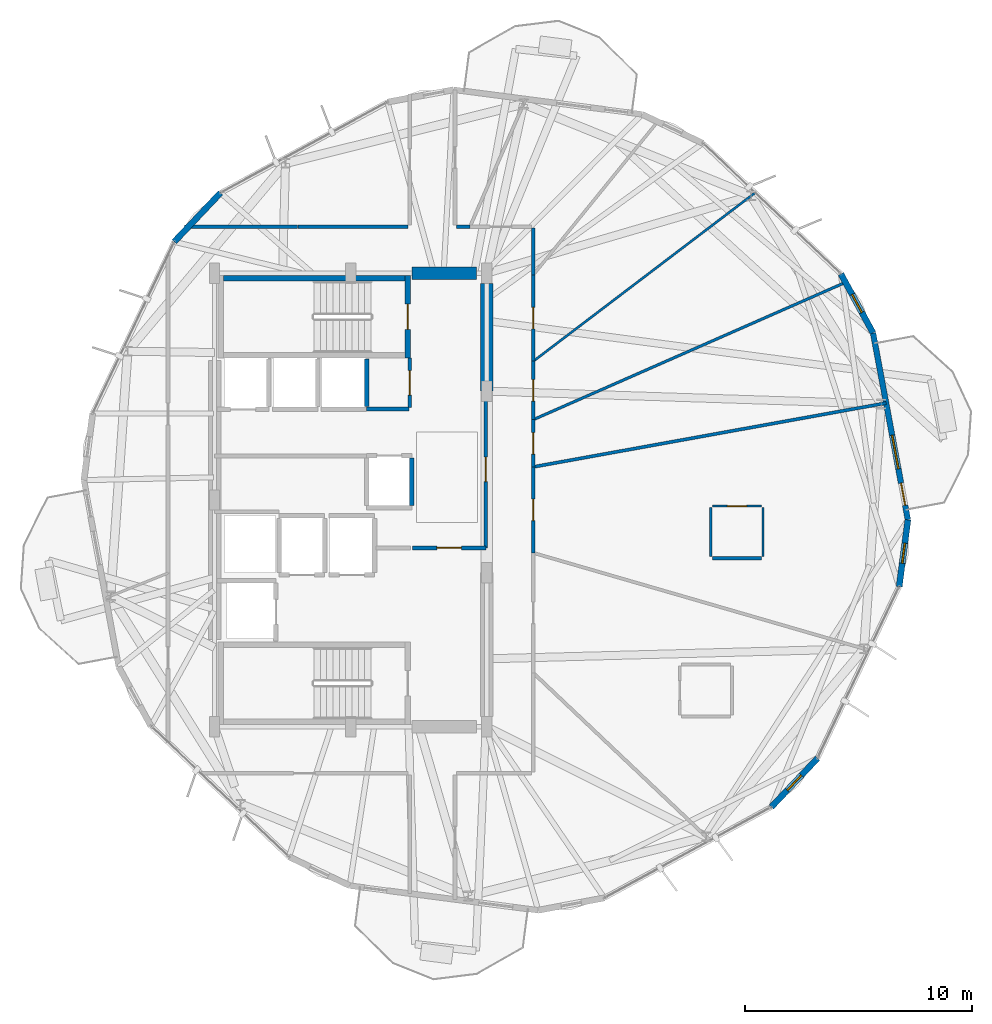
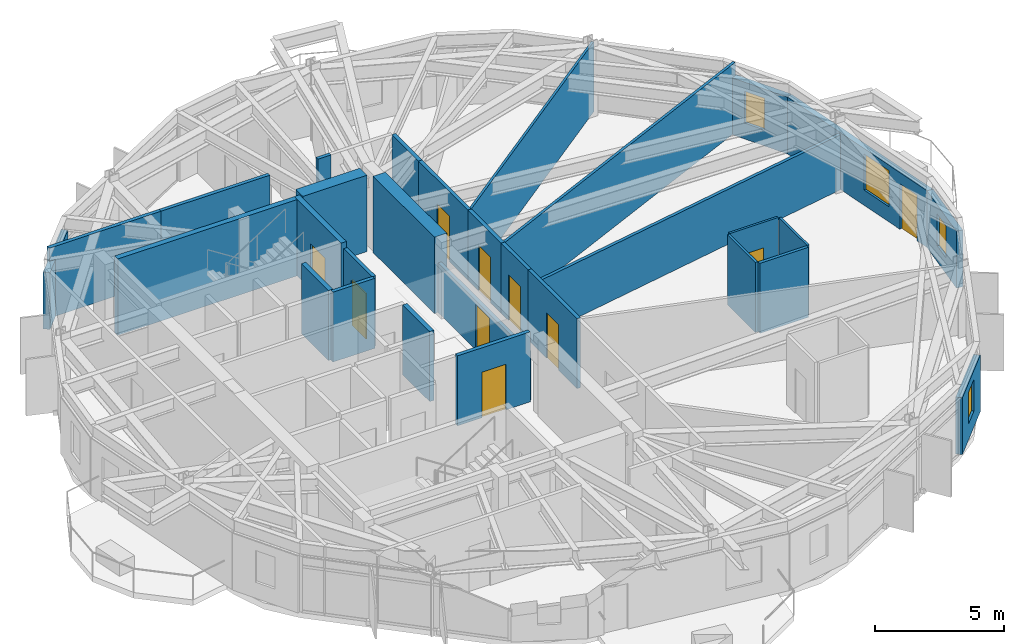
# One storey, part 19 of 23: 30 walls, 10 doors, 4 windows, 14 openings.
"""IFC4 building model written with IfcOpenShell, lengths in metres."""

from ifc_helpers import new_model, si_unit, direction, frame, frame_2d, origin, place, context, subcontext, project, spatial, rectangle, extrude, material, layer, layer_set, type_object, element, fill, save


model = new_model("IFC4")

# Units and contexts
model_context = context("Model", 3, precision=1e-05, world=origin(), true_north=direction((0.0, 1.0)))
body_context = subcontext(model_context, "Body", "Model", "MODEL_VIEW")
ifc_project = project(units=[si_unit("LENGTHUNIT", "METRE"), si_unit("AREAUNIT", "SQUARE_METRE"), si_unit("VOLUMEUNIT", "CUBIC_METRE"), si_unit("PLANEANGLEUNIT", "RADIAN"), si_unit("MASSUNIT", "GRAM", prefix="KILO")], contexts=[model_context])

# Site, building, storey
site_placement = place(None, origin())
site = spatial("IfcSite", under=ifc_project, at=site_placement, CompositionType="ELEMENT")
building_placement = place(site_placement, origin())
building = spatial("IfcBuilding", under=site, at=building_placement, Name="Soratama Intermodal Tower", CompositionType="ELEMENT")
storey_placement = place(building_placement, frame((0.0, 0.0, 139.0)))
storey = spatial("IfcBuildingStorey", under=building, at=storey_placement, Name="L33", CompositionType="ELEMENT", Elevation=139.0)

# Wall, openings, door, window
ifc_material_1 = material(Name="Concrete f'c 42 MPa", Category="concrete")
ifc_layer_1 = layer(ifc_material_1, 0.25)
ifc_layer_set_1 = layer_set([ifc_layer_1], Name="Concrete f'c 42 MPa")
wall_type_1 = type_object("IfcWallType", Name="EW-BAL-250", PredefinedType="SOLIDWALL", material=ifc_layer_set_1)
wall_1_placement = place(storey_placement, frame((63.15771484375, 24.124755859375, 0.0), z_axis=(0.0, 0.0, 1.0), x_axis=(-0.183274789928, 0.983061723076, 0.0)))
wall_1 = element("IfcWall", 1, at=wall_1_placement, inside=storey, type_object=wall_type_1, Name="L33 Terrace Wall F10", PredefinedType="SOLIDWALL", context=body_context, shape_type="SweptSolid", body=[
    extrude(rectangle(XDim=8.376220703125, YDim=0.25, at=frame_2d((4.18798828125, 0.0))), origin(), (0.0, 0.0, 1.0), 2.678955078125),
])
opening_1_placement = place(wall_1_placement, frame((0.64990234375, 0.0, 0.0)))
opening_1 = element("IfcOpeningElement", 2, at=opening_1_placement, cuts=wall_1, Name="Opening ED-2", PredefinedType="OPENING", context=body_context, shape_type="SweptSolid", body=[
    extrude(rectangle(XDim=1.0, YDim=2.14990234375, at=frame_2d((0.5, 1.074951171875))), frame((0.0, 0.135009765625, 0.0), z_axis=(0.0, -1.0, 0.0), x_axis=(1.0, 0.0, 0.0)), (0.0, 0.0, 1.0), 0.27001953125),
])
opening_2_placement = place(wall_1_placement, frame((2.2900390625, 0.0, 0.719970703125)))
opening_2 = element("IfcOpeningElement", 3, at=opening_2_placement, cuts=wall_1, Name="Opening WN-1", PredefinedType="OPENING", context=body_context, shape_type="SweptSolid", body=[
    extrude(rectangle(XDim=1.5, YDim=1.699951171875, at=frame_2d((0.75, 0.85009765625))), frame((0.0, 0.135009765625, 0.0), z_axis=(0.0, -1.0, 0.0), x_axis=(1.0, 0.0, 0.0)), (0.0, 0.0, 1.0), 0.27001953125),
])
ifc_material_2 = material(Name="Double-glazed aluminium door", Category="aluminium")
door_type_1 = type_object("IfcDoorType", Name="DR-BAL-1000", OperationType="NOTDEFINED", PredefinedType="DOOR", material=ifc_material_2)
door_1_placement = place(opening_1_placement, origin())
door_1 = element("IfcDoor", 4, at=door_1_placement, inside=storey, type_object=door_type_1, Name="L33 Balcony Door F10", OperationType="SINGLE_SWING_RIGHT", OverallHeight=2.14990234375, OverallWidth=1.0, PredefinedType="DOOR", context=body_context, shape_type="SweptSolid", body=[
    extrude(rectangle(XDim=1.0, YDim=2.14990234375, at=frame_2d((0.5, 1.074951171875))), frame((0.0, 0.02490234375, 0.0), z_axis=(0.0, -1.0, 0.0), x_axis=(1.0, 0.0, 0.0)), (0.0, 0.0, 1.0), 0.050048828125),
])
fill(opening_1, door_1)
ifc_material_3 = material(Name="Double-glazed aluminium window", Category="aluminium")
window_type_1 = type_object("IfcWindowType", Name="WN-FAC-1500", PartitioningType="SINGLE_PANEL", PredefinedType="WINDOW", material=ifc_material_3)
window_1_placement = place(opening_2_placement, origin())
window_1 = element("IfcWindow", 5, at=window_1_placement, inside=storey, type_object=window_type_1, Name="L33 Window B F10", OverallHeight=1.699951171875, OverallWidth=1.5, PartitioningType="SINGLE_PANEL", PredefinedType="WINDOW", context=body_context, shape_type="SweptSolid", body=[
    extrude(rectangle(XDim=1.5, YDim=1.699951171875, at=frame_2d((0.75, 0.85009765625))), frame((0.0, 0.030029296875, 0.0), z_axis=(0.0, -1.0, 0.0), x_axis=(1.0, 0.0, 0.0)), (0.0, 0.0, 1.0), 0.06005859375),
])
fill(opening_2, window_1)

# Wall
ifc_material_4 = material(Name="Concrete f'c 42 MPa", Category="concrete")
ifc_layer_2 = layer(ifc_material_4, 0.27001953125)
ifc_layer_set_2 = layer_set([ifc_layer_2], Name="Concrete f'c 42 MPa")
wall_type_2 = type_object("IfcWallType", Name="EW-CRN-270", PredefinedType="SOLIDWALL", material=ifc_layer_set_2)
wall_2_placement = place(storey_placement, frame((32.864501953125, 38.534912109375, 0.0), z_axis=(0.0, 0.0, 1.0), x_axis=(-0.687587127065, -0.726101881759, 0.0)))
element("IfcWall", 6, at=wall_2_placement, inside=storey, type_object=wall_type_2, Name="L33 Corner Closure Wall 03", PredefinedType="SOLIDWALL", context=body_context, shape_type="SweptSolid", body=[
    extrude(rectangle(XDim=2.966552734375, YDim=0.27001953125, at=frame_2d((1.4833984375, 0.0))), origin(), (0.0, 0.0, 1.0), 2.678955078125),
])

# Wall, opening, window
wall_3_placement = place(storey_placement, frame((57.135498046875, 11.465087890625, 0.0), z_axis=(0.0, 0.0, 1.0), x_axis=(0.687587127065, 0.726101881759, 0.0)))
wall_3 = element("IfcWall", 7, at=wall_3_placement, inside=storey, type_object=wall_type_2, Name="L33 Corner Closure Wall 08", PredefinedType="SOLIDWALL", context=body_context, shape_type="SweptSolid", body=[
    extrude(rectangle(XDim=2.966552734375, YDim=0.27001953125, at=frame_2d((1.4833984375, 0.0))), origin(), (0.0, 0.0, 1.0), 2.678955078125),
])
opening_3_placement = place(wall_3_placement, frame((1.033203125, 0.0, 0.75)))
opening_3 = element("IfcOpeningElement", 8, at=opening_3_placement, cuts=wall_3, Name="Opening WN-6", PredefinedType="OPENING", context=body_context, shape_type="SweptSolid", body=[
    extrude(rectangle(XDim=0.89990234375, YDim=1.5, at=frame_2d((0.449951171875, 0.75))), frame((0.0, 0.14501953125, 0.0), z_axis=(0.0, -1.0, 0.0), x_axis=(1.0, 0.0, 0.0)), (0.0, 0.0, 1.0), 0.2900390625),
])
ifc_material_5 = material(Name="Double-glazed aluminium window", Category="aluminium")
window_type_2 = type_object("IfcWindowType", Name="WN-FAC-900", PartitioningType="SINGLE_PANEL", PredefinedType="WINDOW", material=ifc_material_5)
window_2_placement = place(opening_3_placement, origin())
window_2 = element("IfcWindow", 9, at=window_2_placement, inside=storey, type_object=window_type_2, Name="L33 Corner Window 08", OverallHeight=1.5, OverallWidth=0.89990234375, PartitioningType="SINGLE_PANEL", PredefinedType="WINDOW", context=body_context, shape_type="SweptSolid", body=[
    extrude(rectangle(XDim=0.89990234375, YDim=1.5, at=frame_2d((0.449951171875, 0.75))), frame((0.0, 0.030029296875, 0.0), z_axis=(0.0, -1.0, 0.0), x_axis=(1.0, 0.0, 0.0)), (0.0, 0.0, 1.0), 0.06005859375),
])
fill(opening_3, window_2)

wall_4_placement = place(storey_placement, frame((62.7734375, 21.18310546875, 0.0), z_axis=(0.0, 0.0, 1.0), x_axis=(0.129532682457, 0.991575153065, 0.0)))
wall_4 = element("IfcWall", 10, at=wall_4_placement, inside=storey, type_object=wall_type_2, Name="L33 Corner Closure Wall 09", PredefinedType="SOLIDWALL", context=body_context, shape_type="SweptSolid", body=[
    extrude(rectangle(XDim=2.966552734375, YDim=0.27001953125, at=frame_2d((1.4833984375, 0.0))), origin(), (0.0, 0.0, 1.0), 2.678955078125),
])
opening_4_placement = place(wall_4_placement, frame((1.033203125, 0.0, 0.75)))
opening_4 = element("IfcOpeningElement", 11, at=opening_4_placement, cuts=wall_4, Name="Opening WN-6", PredefinedType="OPENING", context=body_context, shape_type="SweptSolid", body=[
    extrude(rectangle(XDim=0.89990234375, YDim=1.5, at=frame_2d((0.449951171875, 0.75))), frame((0.0, 0.14501953125, 0.0), z_axis=(0.0, -1.0, 0.0), x_axis=(1.0, 0.0, 0.0)), (0.0, 0.0, 1.0), 0.2900390625),
])
window_3_placement = place(opening_4_placement, origin())
window_3 = element("IfcWindow", 12, at=window_3_placement, inside=storey, type_object=window_type_2, Name="L33 Corner Window 09", OverallHeight=1.5, OverallWidth=0.89990234375, PartitioningType="SINGLE_PANEL", PredefinedType="WINDOW", context=body_context, shape_type="SweptSolid", body=[
    extrude(rectangle(XDim=0.89990234375, YDim=1.5, at=frame_2d((0.449951171875, 0.75))), frame((0.0, 0.030029296875, 0.0), z_axis=(0.0, -1.0, 0.0), x_axis=(1.0, 0.0, 0.0)), (0.0, 0.0, 1.0), 0.06005859375),
])
fill(opening_4, window_3)

wall_5_placement = place(storey_placement, frame((61.62255859375, 32.359130859375, 0.0), z_axis=(0.0, 0.0, 1.0), x_axis=(-0.478085030824, 0.878313556369, 0.0)))
wall_5 = element("IfcWall", 13, at=wall_5_placement, inside=storey, type_object=wall_type_2, Name="L33 Corner Closure Wall 10", PredefinedType="SOLIDWALL", context=body_context, shape_type="SweptSolid", body=[
    extrude(rectangle(XDim=2.966552734375, YDim=0.27001953125, at=frame_2d((1.4833984375, 0.0))), origin(), (0.0, 0.0, 1.0), 2.678955078125),
])
opening_5_placement = place(wall_5_placement, frame((1.033203125, 0.0, 0.75)))
opening_5 = element("IfcOpeningElement", 14, at=opening_5_placement, cuts=wall_5, Name="Opening WN-6", PredefinedType="OPENING", context=body_context, shape_type="SweptSolid", body=[
    extrude(rectangle(XDim=0.89990234375, YDim=1.5, at=frame_2d((0.449951171875, 0.75))), frame((0.0, 0.14501953125, 0.0), z_axis=(0.0, -1.0, 0.0), x_axis=(1.0, 0.0, 0.0)), (0.0, 0.0, 1.0), 0.2900390625),
])
window_4_placement = place(opening_5_placement, origin())
window_4 = element("IfcWindow", 15, at=window_4_placement, inside=storey, type_object=window_type_2, Name="L33 Corner Window 10", OverallHeight=1.5, OverallWidth=0.89990234375, PartitioningType="SINGLE_PANEL", PredefinedType="WINDOW", context=body_context, shape_type="SweptSolid", body=[
    extrude(rectangle(XDim=0.89990234375, YDim=1.5, at=frame_2d((0.449951171875, 0.75))), frame((0.0, 0.030029296875, 0.0), z_axis=(0.0, -1.0, 0.0), x_axis=(1.0, 0.0, 0.0)), (0.0, 0.0, 1.0), 0.06005859375),
])
fill(opening_5, window_4)

# Wall, opening, door
ifc_material_6 = material(Name="Fire-rated gypsum stud partition", Category="concrete")
ifc_layer_3 = layer(ifc_material_6, 0.159912109375)
ifc_layer_set_3 = layer_set([ifc_layer_3], Name="Fire-rated gypsum stud partition")
wall_type_3 = type_object("IfcWallType", Name="IW-PART-R160", PredefinedType="PARTITIONING", material=ifc_layer_set_3)
wall_6_placement = place(storey_placement, frame((44.56005859375, 29.800048828125, 0.0), z_axis=(0.0, 0.0, 1.0), x_axis=(0.0, -1.0, 0.0)))
wall_6 = element("IfcWall", 16, at=wall_6_placement, inside=storey, type_object=wall_type_3, Name="L33 Partition W-L33-TP010", PredefinedType="PARTITIONING", context=body_context, shape_type="SweptSolid", body=[
    extrude(rectangle(XDim=6.91015625, YDim=0.159912109375, at=frame_2d((3.455078125, 0.0))), origin(), (0.0, 0.0, 1.0), 2.340087890625),
])
opening_6_placement = place(wall_6_placement, frame((2.9150390625, 0.0, 0.0)))
opening_6 = element("IfcOpeningElement", 17, at=opening_6_placement, cuts=wall_6, Name="Opening ID-1", PredefinedType="OPENING", context=body_context, shape_type="SweptSolid", body=[
    extrude(rectangle(XDim=1.080078125, YDim=2.14990234375, at=frame_2d((0.5400390625, 1.074951171875))), frame((0.0, 0.08984375, 0.0), z_axis=(0.0, -1.0, 0.0), x_axis=(1.0, 0.0, 0.0)), (0.0, 0.0, 1.0), 0.179931640625),
])
ifc_material_7 = material(Name="Solid hardwood acoustic door", Category="wood")
door_type_2 = type_object("IfcDoorType", Name="DR-LOB-FD60", OperationType="NOTDEFINED", PredefinedType="DOOR", material=ifc_material_7)
door_2_placement = place(opening_6_placement, origin())
door_2 = element("IfcDoor", 18, at=door_2_placement, inside=storey, type_object=door_type_2, Name="L33 Door D-L33-TP004", OperationType="SINGLE_SWING_LEFT", OverallHeight=2.14990234375, OverallWidth=1.080078125, PredefinedType="DOOR", context=body_context, shape_type="SweptSolid", body=[
    extrude(rectangle(XDim=1.080078125, YDim=2.14990234375, at=frame_2d((0.5400390625, 1.074951171875))), frame((0.0, 0.02490234375, 0.0), z_axis=(0.0, -1.0, 0.0), x_axis=(1.0, 0.0, 0.0)), (0.0, 0.0, 1.0), 0.050048828125),
])
fill(opening_6, door_2)

# Walls
wall_7_placement = place(storey_placement, frame((31.283935546875, 37.050048828125, 0.0), z_axis=(0.0, 0.0, 1.0), x_axis=(1.0, 0.0, 0.0)))
element("IfcWall", 19, at=wall_7_placement, inside=storey, type_object=wall_type_3, Name="L33 Partition W-L33-TP018", PredefinedType="PARTITIONING", context=body_context, shape_type="SweptSolid", body=[
    extrude(rectangle(XDim=4.983154296875, YDim=0.159912109375, at=frame_2d((2.49169921875, 0.0))), origin(), (0.0, 0.0, 1.0), 3.300048828125),
])
wall_8_placement = place(storey_placement, frame((36.26806640625, 37.050048828125, 0.0), z_axis=(0.0, 0.0, 1.0), x_axis=(1.0, 0.0, 0.0)))
element("IfcWall", 20, at=wall_8_placement, inside=storey, type_object=wall_type_3, Name="L33 Partition W-L33-TP019", PredefinedType="PARTITIONING", context=body_context, shape_type="SweptSolid", body=[
    extrude(rectangle(XDim=4.86181640625, YDim=0.159912109375, at=frame_2d((2.430908203125, 0.0))), origin(), (0.0, 0.0, 1.0), 3.300048828125),
])

# Wall, opening, door
wall_9_placement = place(storey_placement, frame((46.64990234375, 34.9208984375, 0.0), z_axis=(0.0, 0.0, 1.0), x_axis=(0.0, -1.0, 0.0)))
wall_9 = element("IfcWall", 21, at=wall_9_placement, inside=storey, type_object=wall_type_3, Name="L33 Partition W-L33-TP021", PredefinedType="PARTITIONING", context=body_context, shape_type="SweptSolid", body=[
    extrude(rectangle(XDim=3.805908203125, YDim=0.159912109375, at=frame_2d((1.90283203125, 0.0))), origin(), (0.0, 0.0, 1.0), 3.300048828125),
])
opening_7_placement = place(wall_9_placement, frame((1.427978515625, 0.0, 0.0)))
opening_7 = element("IfcOpeningElement", 22, at=opening_7_placement, cuts=wall_9, Name="Opening ID-3", PredefinedType="OPENING", context=body_context, shape_type="SweptSolid", body=[
    extrude(rectangle(XDim=0.949951171875, YDim=2.14990234375, at=frame_2d((0.47509765625, 1.074951171875))), frame((0.0, 0.08984375, 0.0), z_axis=(0.0, -1.0, 0.0), x_axis=(1.0, 0.0, 0.0)), (0.0, 0.0, 1.0), 0.179931640625),
])
ifc_material_8 = material(Name="Solid hardwood acoustic door", Category="wood")
door_type_3 = type_object("IfcDoorType", Name="DR-ROOM-950", OperationType="NOTDEFINED", PredefinedType="DOOR", material=ifc_material_8)
door_3_placement = place(opening_7_placement, origin())
door_3 = element("IfcDoor", 23, at=door_3_placement, inside=storey, type_object=door_type_3, Name="L33 Door D-L33-TP009", OperationType="SINGLE_SWING_RIGHT", OverallHeight=2.14990234375, OverallWidth=0.949951171875, PredefinedType="DOOR", context=body_context, shape_type="SweptSolid", body=[
    extrude(rectangle(XDim=0.949951171875, YDim=2.14990234375, at=frame_2d((0.47509765625, 1.074951171875))), frame((0.0, 0.02490234375, 0.0), z_axis=(0.0, -1.0, 0.0), x_axis=(1.0, 0.0, 0.0)), (0.0, 0.0, 1.0), 0.050048828125),
])
fill(opening_7, door_3)

wall_10_placement = place(storey_placement, frame((46.64990234375, 26.4580078125, 0.0), z_axis=(0.0, 0.0, 1.0), x_axis=(0.0, -1.0, 0.0)))
wall_10 = element("IfcWall", 24, at=wall_10_placement, inside=storey, type_object=wall_type_3, Name="L33 Partition W-L33-TP022", PredefinedType="PARTITIONING", context=body_context, shape_type="SweptSolid", body=[
    extrude(rectangle(XDim=3.7900390625, YDim=0.159912109375, at=frame_2d((1.89501953125, 0.0))), origin(), (0.0, 0.0, 1.0), 3.300048828125),
])
opening_8_placement = place(wall_10_placement, frame((1.419921875, 0.0, 0.0)))
opening_8 = element("IfcOpeningElement", 25, at=opening_8_placement, cuts=wall_10, Name="Opening ID-3", PredefinedType="OPENING", context=body_context, shape_type="SweptSolid", body=[
    extrude(rectangle(XDim=0.949951171875, YDim=2.14990234375, at=frame_2d((0.47509765625, 1.074951171875))), frame((0.0, 0.08984375, 0.0), z_axis=(0.0, -1.0, 0.0), x_axis=(1.0, 0.0, 0.0)), (0.0, 0.0, 1.0), 0.179931640625),
])
door_4_placement = place(opening_8_placement, origin())
door_4 = element("IfcDoor", 26, at=door_4_placement, inside=storey, type_object=door_type_3, Name="L33 Door D-L33-TP010", OperationType="SINGLE_SWING_LEFT", OverallHeight=2.14990234375, OverallWidth=0.949951171875, PredefinedType="DOOR", context=body_context, shape_type="SweptSolid", body=[
    extrude(rectangle(XDim=0.949951171875, YDim=2.14990234375, at=frame_2d((0.47509765625, 1.074951171875))), frame((0.0, 0.02490234375, 0.0), z_axis=(0.0, -1.0, 0.0), x_axis=(1.0, 0.0, 0.0)), (0.0, 0.0, 1.0), 0.050048828125),
])
fill(opening_8, door_4)

wall_11_placement = place(storey_placement, frame((46.64990234375, 31.114990234375, 0.0), z_axis=(0.0, 0.0, 1.0), x_axis=(0.0, -1.0, 0.0)))
wall_11 = element("IfcWall", 27, at=wall_11_placement, inside=storey, type_object=wall_type_3, Name="L33 Partition W-L33-TP028", PredefinedType="PARTITIONING", context=body_context, shape_type="SweptSolid", body=[
    extrude(rectangle(XDim=2.573974609375, YDim=0.159912109375, at=frame_2d((1.287109375, 0.0))), origin(), (0.0, 0.0, 1.0), 3.300048828125),
])
opening_9_placement = place(wall_11_placement, frame((0.81201171875, 0.0, 0.0)))
opening_9 = element("IfcOpeningElement", 28, at=opening_9_placement, cuts=wall_11, Name="Opening ID-3", PredefinedType="OPENING", context=body_context, shape_type="SweptSolid", body=[
    extrude(rectangle(XDim=0.949951171875, YDim=2.14990234375, at=frame_2d((0.47509765625, 1.074951171875))), frame((0.0, 0.08984375, 0.0), z_axis=(0.0, -1.0, 0.0), x_axis=(1.0, 0.0, 0.0)), (0.0, 0.0, 1.0), 0.179931640625),
])
door_5_placement = place(opening_9_placement, origin())
door_5 = element("IfcDoor", 29, at=door_5_placement, inside=storey, type_object=door_type_3, Name="L33 Door D-L33-TP013", OperationType="SINGLE_SWING_RIGHT", OverallHeight=2.14990234375, OverallWidth=0.949951171875, PredefinedType="DOOR", context=body_context, shape_type="SweptSolid", body=[
    extrude(rectangle(XDim=0.949951171875, YDim=2.14990234375, at=frame_2d((0.47509765625, 1.074951171875))), frame((0.0, 0.02490234375, 0.0), z_axis=(0.0, -1.0, 0.0), x_axis=(1.0, 0.0, 0.0)), (0.0, 0.0, 1.0), 0.050048828125),
])
fill(opening_9, door_5)

wall_12_placement = place(storey_placement, frame((41.199951171875, 29.070068359375, 0.0), z_axis=(0.0, 0.0, 1.0), x_axis=(0.0, 1.0, 0.0)))
wall_12 = element("IfcWall", 30, at=wall_12_placement, inside=storey, type_object=wall_type_3, Name="L33 Partition W-L33-TP029", PredefinedType="PARTITIONING", context=body_context, shape_type="SweptSolid", body=[
    extrude(rectangle(XDim=2.18994140625, YDim=0.159912109375, at=frame_2d((1.094970703125, 0.0))), origin(), (0.0, 0.0, 1.0), 3.300048828125),
])
opening_10_placement = place(wall_12_placement, frame((0.554931640625, 0.0, 0.0)))
opening_10 = element("IfcOpeningElement", 31, at=opening_10_placement, cuts=wall_12, Name="Opening ID-1", PredefinedType="OPENING", context=body_context, shape_type="SweptSolid", body=[
    extrude(rectangle(XDim=1.080078125, YDim=2.14990234375, at=frame_2d((0.5400390625, 1.074951171875))), frame((0.0, 0.08984375, 0.0), z_axis=(0.0, -1.0, 0.0), x_axis=(1.0, 0.0, 0.0)), (0.0, 0.0, 1.0), 0.179931640625),
])
door_6_placement = place(opening_10_placement, origin())
door_6 = element("IfcDoor", 32, at=door_6_placement, inside=storey, type_object=door_type_2, Name="L33 Door D-L33-TP014", OperationType="SINGLE_SWING_LEFT", OverallHeight=2.14990234375, OverallWidth=1.080078125, PredefinedType="DOOR", context=body_context, shape_type="SweptSolid", body=[
    extrude(rectangle(XDim=1.080078125, YDim=2.14990234375, at=frame_2d((0.5400390625, 1.074951171875))), frame((0.0, 0.02490234375, 0.0), z_axis=(0.0, -1.0, 0.0), x_axis=(1.0, 0.0, 0.0)), (0.0, 0.0, 1.0), 0.050048828125),
])
fill(opening_10, door_6)

wall_13_placement = place(storey_placement, frame((46.64990234375, 28.541015625, 0.0), z_axis=(0.0, 0.0, 1.0), x_axis=(0.0, -1.0, 0.0)))
wall_13 = element("IfcWall", 33, at=wall_13_placement, inside=storey, type_object=wall_type_3, Name="L33 Partition W-L33-TP038", PredefinedType="PARTITIONING", context=body_context, shape_type="SweptSolid", body=[
    extrude(rectangle(XDim=2.0830078125, YDim=0.159912109375, at=frame_2d((1.04150390625, 0.0))), origin(), (0.0, 0.0, 1.0), 3.300048828125),
])
opening_11_placement = place(wall_13_placement, frame((0.56689453125, 0.0, 0.0)))
opening_11 = element("IfcOpeningElement", 34, at=opening_11_placement, cuts=wall_13, Name="Opening ID-3", PredefinedType="OPENING", context=body_context, shape_type="SweptSolid", body=[
    extrude(rectangle(XDim=0.949951171875, YDim=2.14990234375, at=frame_2d((0.47509765625, 1.074951171875))), frame((0.0, 0.08984375, 0.0), z_axis=(0.0, -1.0, 0.0), x_axis=(1.0, 0.0, 0.0)), (0.0, 0.0, 1.0), 0.179931640625),
])
door_7_placement = place(opening_11_placement, origin())
door_7 = element("IfcDoor", 35, at=door_7_placement, inside=storey, type_object=door_type_3, Name="L33 Door D-L33-TP017", OperationType="SINGLE_SWING_RIGHT", OverallHeight=2.14990234375, OverallWidth=0.949951171875, PredefinedType="DOOR", context=body_context, shape_type="SweptSolid", body=[
    extrude(rectangle(XDim=0.949951171875, YDim=2.14990234375, at=frame_2d((0.47509765625, 1.074951171875))), frame((0.0, 0.02490234375, 0.0), z_axis=(0.0, -1.0, 0.0), x_axis=(1.0, 0.0, 0.0)), (0.0, 0.0, 1.0), 0.050048828125),
])
fill(opening_11, door_7)

# Walls
wall_14_placement = place(storey_placement, frame((46.64990234375, 36.97998046875, 0.0), z_axis=(0.0, 0.0, 1.0), x_axis=(0.0, -1.0, 0.0)))
element("IfcWall", 36, at=wall_14_placement, inside=storey, type_object=wall_type_3, Name="L33 Partition W-L33-TP039", PredefinedType="PARTITIONING", context=body_context, shape_type="SweptSolid", body=[
    extrude(rectangle(XDim=2.05908203125, YDim=0.159912109375, at=frame_2d((1.029541015625, 0.0))), origin(), (0.0, 0.0, 1.0), 3.300048828125),
])
wall_15_placement = place(storey_placement, frame((39.300048828125, 29.010009765625, 0.0), z_axis=(0.0, 0.0, 1.0), x_axis=(1.0, 0.0, 0.0)))
element("IfcWall", 37, at=wall_15_placement, inside=storey, type_object=wall_type_3, Name="L33 Partition W-L33-TP040", PredefinedType="PARTITIONING", context=body_context, shape_type="SweptSolid", body=[
    extrude(rectangle(XDim=1.85986328125, YDim=0.159912109375, at=frame_2d((0.929931640625, 0.0))), origin(), (0.0, 0.0, 1.0), 3.300048828125),
])
wall_16_placement = place(storey_placement, frame((43.27001953125, 37.050048828125, 0.0), z_axis=(0.0, 0.0, 1.0), x_axis=(1.0, 0.0, 0.0)))
element("IfcWall", 38, at=wall_16_placement, inside=storey, type_object=wall_type_3, Name="L33 Partition W-L33-TP042", PredefinedType="PARTITIONING", context=body_context, shape_type="SweptSolid", body=[
    extrude(rectangle(XDim=0.590087890625, YDim=0.159912109375, at=frame_2d((0.294921875, 0.0))), origin(), (0.0, 0.0, 1.0), 3.300048828125),
])

# Wall, opening, door
ifc_material_9 = material(Name="Fire-rated gypsum stud partition", Category="concrete")
ifc_layer_4 = layer(ifc_material_9, 0.169921875)
ifc_layer_set_4 = layer_set([ifc_layer_4], Name="Fire-rated gypsum stud partition")
wall_type_4 = type_object("IfcWallType", Name="IW-PART-R170", PredefinedType="PARTITIONING", material=ifc_layer_set_4)
wall_17_placement = place(storey_placement, frame((41.320068359375, 22.889892578125, 0.0), z_axis=(0.0, 0.0, 1.0), x_axis=(1.0, 0.0, 0.0)))
wall_17 = element("IfcWall", 39, at=wall_17_placement, inside=storey, type_object=wall_type_4, Name="L33 Partition W-L33-TP024", PredefinedType="PARTITIONING", context=body_context, shape_type="SweptSolid", body=[
    extrude(rectangle(XDim=3.239990234375, YDim=0.169921875, at=frame_2d((1.6201171875, 0.0))), origin(), (0.0, 0.0, 1.0), 3.300048828125),
])
opening_12_placement = place(wall_17_placement, frame((1.080078125, 0.0, 0.0)))
opening_12 = element("IfcOpeningElement", 40, at=opening_12_placement, cuts=wall_17, Name="Opening ID-0", PredefinedType="OPENING", context=body_context, shape_type="SweptSolid", body=[
    extrude(rectangle(XDim=1.080078125, YDim=2.14990234375, at=frame_2d((0.5400390625, 1.074951171875))), frame((0.0, 0.094970703125, 0.0), z_axis=(0.0, -1.0, 0.0), x_axis=(1.0, 0.0, 0.0)), (0.0, 0.0, 1.0), 0.18994140625),
])
ifc_material_10 = material(Name="Solid hardwood acoustic door", Category="wood")
door_type_4 = type_object("IfcDoorType", Name="DR-LOB-FD90", OperationType="NOTDEFINED", PredefinedType="DOOR", material=ifc_material_10)
door_8_placement = place(opening_12_placement, origin())
door_8 = element("IfcDoor", 41, at=door_8_placement, inside=storey, type_object=door_type_4, Name="L33 Door D-L33-TP011", OperationType="SINGLE_SWING_RIGHT", OverallHeight=2.14990234375, OverallWidth=1.080078125, PredefinedType="DOOR", context=body_context, shape_type="SweptSolid", body=[
    extrude(rectangle(XDim=1.080078125, YDim=2.14990234375, at=frame_2d((0.5400390625, 1.074951171875))), frame((0.0, 0.02490234375, 0.0), z_axis=(0.0, -1.0, 0.0), x_axis=(1.0, 0.0, 0.0)), (0.0, 0.0, 1.0), 0.050048828125),
])
fill(opening_12, door_8)

# Wall
ifc_material_11 = material(Name="Fire-rated gypsum stud partition", Category="concrete")
ifc_layer_5 = layer(ifc_material_11, 0.10009765625)
ifc_layer_set_5 = layer_set([ifc_layer_5], Name="Fire-rated gypsum stud partition")
wall_type_5 = type_object("IfcWallType", Name="IW-PART-S100", PredefinedType="PARTITIONING", material=ifc_layer_set_5)
wall_18_placement = place(storey_placement, frame((46.64990234375, 31.114990234375, 0.0), z_axis=(0.0, 0.0, 1.0), x_axis=(0.796303177003, 0.604897718871, 0.0)))
element("IfcWall", 42, at=wall_18_placement, inside=storey, type_object=wall_type_5, Name="L33 Partition W-L33-TP005", PredefinedType="PARTITIONING", context=body_context, shape_type="SweptSolid", body=[
    extrude(rectangle(XDim=12.278076171875, YDim=0.10009765625, at=frame_2d((6.13916015625, 0.0))), origin(), (0.0, 0.0, 1.0), 3.300048828125),
])

# Wall, opening, door
wall_19_placement = place(storey_placement, frame((56.7060546875, 24.73095703125, 0.0), z_axis=(0.0, 0.0, 1.0), x_axis=(-1.0, 0.0, 0.0)))
wall_19 = element("IfcWall", 43, at=wall_19_placement, inside=storey, type_object=wall_type_5, Name="L33 Partition W-L33-TP030", PredefinedType="PARTITIONING", context=body_context, shape_type="SweptSolid", body=[
    extrude(rectangle(XDim=2.16015625, YDim=0.10009765625, at=frame_2d((1.080078125, 0.0))), origin(), (0.0, 0.0, 1.0), 3.300048828125),
])
opening_13_placement = place(wall_19_placement, frame((0.655029296875, 0.0, 0.0)))
opening_13 = element("IfcOpeningElement", 44, at=opening_13_placement, cuts=wall_19, Name="Opening ID-4", PredefinedType="OPENING", context=body_context, shape_type="SweptSolid", body=[
    extrude(rectangle(XDim=0.85009765625, YDim=2.10009765625, at=frame_2d((0.425048828125, 1.050048828125))), frame((0.0, 0.06005859375, 0.0), z_axis=(0.0, -1.0, 0.0), x_axis=(1.0, 0.0, 0.0)), (0.0, 0.0, 1.0), 0.1201171875),
])
ifc_material_12 = material(Name="Solid hardwood acoustic door", Category="wood")
door_type_5 = type_object("IfcDoorType", Name="DR-BATH-850", OperationType="NOTDEFINED", PredefinedType="DOOR", material=ifc_material_12)
door_9_placement = place(opening_13_placement, origin())
door_9 = element("IfcDoor", 45, at=door_9_placement, inside=storey, type_object=door_type_5, Name="L33 Door D-L33-TP015", OperationType="SINGLE_SWING_RIGHT", OverallHeight=2.10009765625, OverallWidth=0.85009765625, PredefinedType="DOOR", context=body_context, shape_type="SweptSolid", body=[
    extrude(rectangle(XDim=0.85009765625, YDim=2.10009765625, at=frame_2d((0.425048828125, 1.050048828125))), frame((0.0, 0.02490234375, 0.0), z_axis=(0.0, -1.0, 0.0), x_axis=(1.0, 0.0, 0.0)), (0.0, 0.0, 1.0), 0.050048828125),
])
fill(opening_13, door_9)

# Walls
wall_20_placement = place(storey_placement, frame((56.77587890625, 22.5009765625, 0.0), z_axis=(0.0, 0.0, 1.0), x_axis=(0.0, 1.0, 0.0)))
element("IfcWall", 46, at=wall_20_placement, inside=storey, type_object=wall_type_5, Name="L33 Partition W-L33-TP035", PredefinedType="PARTITIONING", context=body_context, shape_type="SweptSolid", body=[
    extrude(rectangle(XDim=2.159912109375, YDim=0.10009765625, at=frame_2d((1.080078125, 0.0))), origin(), (0.0, 0.0, 1.0), 3.300048828125),
])
ifc_material_13 = material(Name="Fire-rated gypsum stud partition", Category="concrete")
ifc_layer_6 = layer(ifc_material_13, 0.110107421875)
ifc_layer_set_6 = layer_set([ifc_layer_6], Name="Fire-rated gypsum stud partition")
wall_type_6 = type_object("IfcWallType", Name="IW-PART-S110", PredefinedType="PARTITIONING", material=ifc_layer_set_6)
wall_21_placement = place(storey_placement, frame((54.47607421875, 24.660888671875, 0.0), z_axis=(0.0, 0.0, 1.0), x_axis=(0.0, -1.0, 0.0)))
element("IfcWall", 47, at=wall_21_placement, inside=storey, type_object=wall_type_6, Name="L33 Partition W-L33-TP034", PredefinedType="PARTITIONING", context=body_context, shape_type="SweptSolid", body=[
    extrude(rectangle(XDim=2.159912109375, YDim=0.110107421875, at=frame_2d((1.080078125, 0.0))), origin(), (0.0, 0.0, 1.0), 3.300048828125),
])
ifc_material_14 = material(Name="Fire-rated gypsum stud partition", Category="concrete")
ifc_layer_7 = layer(ifc_material_14, 0.1201171875)
ifc_layer_set_7 = layer_set([ifc_layer_7], Name="Fire-rated gypsum stud partition")
wall_type_7 = type_object("IfcWallType", Name="IW-PART-S120", PredefinedType="PARTITIONING", material=ifc_layer_set_7)
wall_22_placement = place(storey_placement, frame((46.64990234375, 28.541015625, 0.0), z_axis=(0.0, 0.0, 1.0), x_axis=(0.915387028223, 0.402574947756, 0.0)))
element("IfcWall", 48, at=wall_22_placement, inside=storey, type_object=wall_type_7, Name="L33 Partition W-L33-TP003", PredefinedType="PARTITIONING", context=body_context, shape_type="SweptSolid", body=[
    extrude(rectangle(XDim=15.097412109375, YDim=0.1201171875, at=frame_2d((7.548828125, 0.0))), origin(), (0.0, 0.0, 1.0), 3.300048828125),
])
ifc_material_15 = material(Name="Fire-rated gypsum stud partition", Category="concrete")
ifc_layer_8 = layer(ifc_material_15, 0.139892578125)
ifc_layer_set_8 = layer_set([ifc_layer_8], Name="Fire-rated gypsum stud partition")
wall_type_8 = type_object("IfcWallType", Name="IW-PART-S140", PredefinedType="PARTITIONING", material=ifc_layer_set_8)
wall_23_placement = place(storey_placement, frame((62.197998046875, 29.27294921875, 0.0), z_axis=(0.0, 0.0, 1.0), x_axis=(-0.98400313361, -0.178151152242, 0.0)))
element("IfcWall", 49, at=wall_23_placement, inside=storey, type_object=wall_type_8, Name="L33 Partition W-L33-TP001", PredefinedType="PARTITIONING", context=body_context, shape_type="SweptSolid", body=[
    extrude(rectangle(XDim=15.80078125, YDim=0.139892578125, at=frame_2d((7.900390625, 0.0))), origin(), (0.0, 0.0, 1.0), 2.594970703125),
])
wall_24_placement = place(storey_placement, frame((54.5458984375, 22.430908203125, 0.0), z_axis=(0.0, 0.0, 1.0), x_axis=(1.0, 0.0, 0.0)))
element("IfcWall", 50, at=wall_24_placement, inside=storey, type_object=wall_type_8, Name="L33 Partition W-L33-TP031", PredefinedType="PARTITIONING", context=body_context, shape_type="SweptSolid", body=[
    extrude(rectangle(XDim=2.16015625, YDim=0.139892578125, at=frame_2d((1.080078125, 0.0))), origin(), (0.0, 0.0, 1.0), 3.300048828125),
])
ifc_material_16 = material(Name="Concrete f'c 42 MPa", Category="concrete")
ifc_layer_9 = layer(ifc_material_16, 0.199951171875)
ifc_layer_set_9 = layer_set([ifc_layer_9], Name="Concrete f'c 42 MPa")
wall_type_9 = type_object("IfcWallType", Name="IW-SHAFT-200", PredefinedType="SOLIDWALL", material=ifc_layer_set_9)
wall_25_placement = place(storey_placement, frame((41.300048828125, 24.760009765625, 0.0), z_axis=(0.0, 0.0, 1.0), x_axis=(0.0, 1.0, 0.0)))
element("IfcWall", 51, at=wall_25_placement, inside=storey, type_object=wall_type_9, Name="L33 PL-M1 Hoistway Wall E", PredefinedType="SOLIDWALL", context=body_context, shape_type="SweptSolid", body=[
    extrude(rectangle(XDim=2.080078125, YDim=0.199951171875, at=frame_2d((1.0400390625, 0.0))), origin(), (0.0, 0.0, 1.0), 3.300048828125),
])
wall_26_placement = place(storey_placement, frame((39.300048828125, 29.110107421875, 0.0), z_axis=(0.0, 0.0, 1.0), x_axis=(0.0, 1.0, 0.0)))
element("IfcWall", 52, at=wall_26_placement, inside=storey, type_object=wall_type_9, Name="L33 PL-H2 Hoistway Wall E", PredefinedType="SOLIDWALL", context=body_context, shape_type="SweptSolid", body=[
    extrude(rectangle(XDim=2.099853515625, YDim=0.199951171875, at=frame_2d((1.0498046875, 0.0))), origin(), (0.0, 0.0, 1.0), 3.300048828125),
])
ifc_material_17 = material(Name="Concrete f'c 56 MPa", Category="concrete")
ifc_layer_10 = layer(ifc_material_17, 0.550048828125)
ifc_layer_set_10 = layer_set([ifc_layer_10], Name="Concrete f'c 56 MPa")
wall_type_10 = type_object("IfcWallType", Name="SW-CORE-550", PredefinedType="SHEAR", material=ifc_layer_set_10)
wall_27_placement = place(storey_placement, frame((41.300048828125, 35.0, 0.0), z_axis=(0.0, 0.0, 1.0), x_axis=(1.0, 0.0, 0.0)))
element("IfcWall", 53, at=wall_27_placement, inside=storey, type_object=wall_type_10, Name="L33 Core Shear Wall CW-NE", PredefinedType="SHEAR", context=body_context, shape_type="SweptSolid", body=[
    extrude(rectangle(XDim=2.849853515625, YDim=0.550048828125, at=frame_2d((1.4248046875, 0.0))), origin(), (0.0, 0.0, 1.0), 3.60009765625),
])
wall_28_placement = place(storey_placement, frame((44.60009765625, 29.800048828125, 0.0), z_axis=(0.0, 0.0, 1.0), x_axis=(0.0, 1.0, 0.0)))
element("IfcWall", 54, at=wall_28_placement, inside=storey, type_object=wall_type_10, Name="L33 Core Shear Wall CW-EN", PredefinedType="SHEAR", context=body_context, shape_type="SweptSolid", body=[
    extrude(rectangle(XDim=4.75, YDim=0.550048828125, at=frame_2d((2.375, 0.0))), origin(), (0.0, 0.0, 1.0), 3.60009765625),
])

# Wall, opening, door
ifc_material_18 = material(Name="Concrete f'c 56 MPa", Category="concrete")
ifc_layer_11 = layer(ifc_material_18, 0.239990234375)
ifc_layer_set_11 = layer_set([ifc_layer_11], Name="Concrete f'c 56 MPa")
wall_type_11 = type_object("IfcWallType", Name="SW-STAIR-240", PredefinedType="SHEAR", material=ifc_layer_set_11)
wall_29_placement = place(storey_placement, frame((41.1201171875, 31.260009765625, 0.0), z_axis=(0.0, 0.0, 1.0), x_axis=(0.0, 1.0, 0.0)))
wall_29 = element("IfcWall", 55, at=wall_29_placement, inside=storey, type_object=wall_type_11, Name="L33 ST-2 Shaft Shear Wall E", PredefinedType="SHEAR", context=body_context, shape_type="SweptSolid", body=[
    extrude(rectangle(XDim=3.6298828125, YDim=0.239990234375, at=frame_2d((1.81494140625, 0.0))), origin(), (0.0, 0.0, 1.0), 3.60009765625),
])
opening_14_placement = place(wall_29_placement, frame((1.2548828125, 0.0, 0.0)))
opening_14 = element("IfcOpeningElement", 56, at=opening_14_placement, cuts=wall_29, Name="Opening SD-1", PredefinedType="OPENING", context=body_context, shape_type="SweptSolid", body=[
    extrude(rectangle(XDim=1.1201171875, YDim=2.14990234375, at=frame_2d((0.56005859375, 1.074951171875))), frame((0.0, 0.1298828125, 0.0), z_axis=(0.0, -1.0, 0.0), x_axis=(1.0, 0.0, 0.0)), (0.0, 0.0, 1.0), 0.260009765625),
])
ifc_material_19 = material(Name="Steel fire door", Category="steel")
door_type_6 = type_object("IfcDoorType", Name="DR-STAIR-FD90", OperationType="NOTDEFINED", PredefinedType="DOOR", material=ifc_material_19)
door_10_placement = place(opening_14_placement, origin())
door_10 = element("IfcDoor", 57, at=door_10_placement, inside=storey, type_object=door_type_6, Name="L33 ST-2 Exit Stair Door", OperationType="SINGLE_SWING_RIGHT", OverallHeight=2.14990234375, OverallWidth=1.1201171875, PredefinedType="DOOR", context=body_context, shape_type="SweptSolid", body=[
    extrude(rectangle(XDim=1.1201171875, YDim=2.14990234375, at=frame_2d((0.56005859375, 1.074951171875))), frame((0.0, 0.02490234375, 0.0), z_axis=(0.0, -1.0, 0.0), x_axis=(1.0, 0.0, 0.0)), (0.0, 0.0, 1.0), 0.050048828125),
])
fill(opening_14, door_10)

# Wall
wall_30_placement = place(storey_placement, frame((33.0, 34.77001953125, 0.0), z_axis=(0.0, 0.0, 1.0), x_axis=(1.0, 0.0, 0.0)))
element("IfcWall", 58, at=wall_30_placement, inside=storey, type_object=wall_type_11, Name="L33 ST-2 Shaft Shear Wall N", PredefinedType="SHEAR", context=body_context, shape_type="SweptSolid", body=[
    extrude(rectangle(XDim=8.0, YDim=0.239990234375, at=frame_2d((4.0, 0.0))), origin(), (0.0, 0.0, 1.0), 3.60009765625),
])

save(model, "model.ifc")
